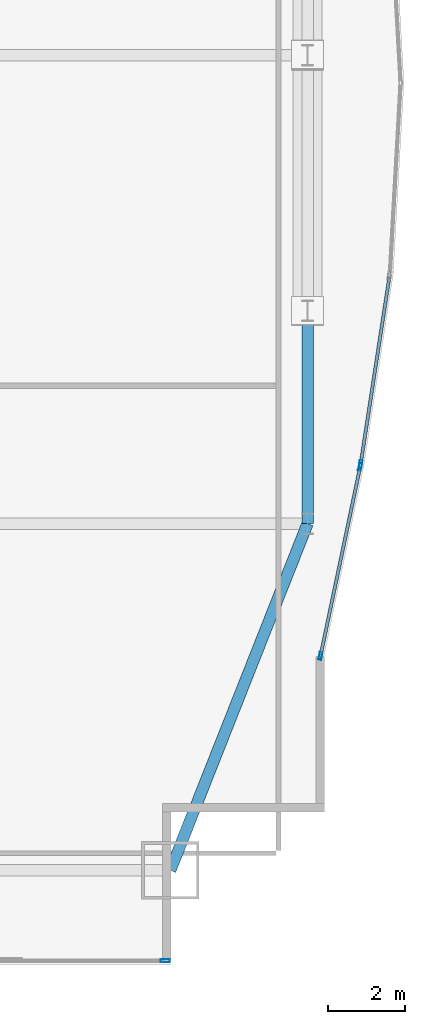
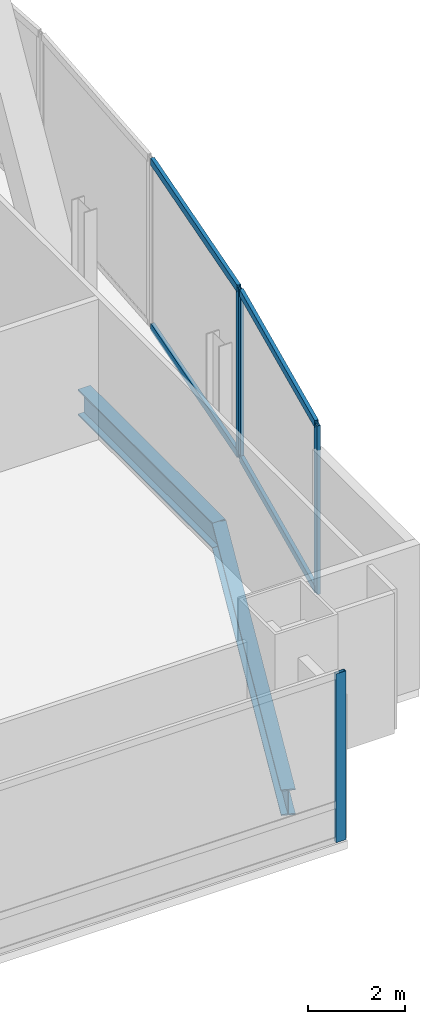
# One storey, part 22 of 32: 8 members, 2 beams, 3 elements without a shape of their own.
"""IFC4 building model written with IfcOpenShell, lengths in metres."""

from ifc_helpers import new_model, si_unit, direction, frame, origin, origin_2d, place, context, subcontext, project, spatial, hollow_rectangle, i_section, extrude, material, material_profile, profile_set, type_object, element, aggregate, save


model = new_model("IFC4")

# Units and contexts
model_context = context("Model", 3, precision=1e-05, world=origin(), true_north=direction((0.0, 1.0)))
body_context = subcontext(model_context, "Body", "Model", "MODEL_VIEW")
ifc_project = project(units=[si_unit("LENGTHUNIT", "METRE"), si_unit("AREAUNIT", "SQUARE_METRE"), si_unit("VOLUMEUNIT", "CUBIC_METRE"), si_unit("PLANEANGLEUNIT", "RADIAN"), si_unit("MASSUNIT", "GRAM", prefix="KILO")], contexts=[model_context])

# Site, building, storey
site_placement = place(None, origin())
site = spatial("IfcSite", under=ifc_project, at=site_placement, CompositionType="ELEMENT")
building_placement = place(site_placement, origin())
building = spatial("IfcBuilding", under=site, at=building_placement, Name="Khoronbel Lancet Exchange", CompositionType="ELEMENT")
storey_placement = place(building_placement, frame((0.0, 0.0, 106.60009765625)))
storey = spatial("IfcBuildingStorey", under=building, at=storey_placement, Name="L25", CompositionType="ELEMENT", Elevation=106.60009765625)

# Beams
ifc_material_1 = material(Name="Steel S355", Category="steel")
ifc_material_profile_1 = material_profile(ifc_material_1, i_section(OverallWidth=0.300048828125, OverallDepth=0.64990234375, WebThickness=0.01611328125, FlangeThickness=0.031005859375, at=origin_2d()), Name="HEB 650")
ifc_profile_set_1 = profile_set([ifc_material_profile_1], Name="Steel S355")
beam_type = type_object("IfcBeamType", Name="BM-BSP1", PredefinedType="SPANDREL", material=ifc_profile_set_1)
beam_1_placement = place(storey_placement, frame((66.050048828125, 10.14990234375, -0.525146484375), z_axis=(0.367828403855, 0.929893684954, 0.0), x_axis=(-0.929893684954, 0.367828403855, 0.0)))
element("IfcBeam", 1, at=beam_1_placement, inside=storey, type_object=beam_type, Name="Level L25 perimeter spandrel beam SP10", PredefinedType="SPANDREL", context=body_context, shape_type="SweptSolid", body=[
    extrude(i_section(OverallWidth=0.300048828125, OverallDepth=0.64990234375, WebThickness=0.01611328125, FlangeThickness=0.031005859375, at=origin_2d()), origin(), (0.0, 0.0, 1.0), 9.732421875),
])
beam_2_placement = place(storey_placement, frame((69.6298828125, 19.199951171875, -0.525146484375), z_axis=(0.0, 1.0, 0.0), x_axis=(-1.0, 0.0, 0.0)))
element("IfcBeam", 2, at=beam_2_placement, inside=storey, type_object=beam_type, Name="Level L25 perimeter spandrel beam SP11", PredefinedType="SPANDREL", context=body_context, shape_type="SweptSolid", body=[
    extrude(i_section(OverallWidth=0.300048828125, OverallDepth=0.64990234375, WebThickness=0.01611328125, FlangeThickness=0.031005859375, at=origin_2d()), origin(), (0.0, 0.0, 1.0), 5.550048828125),
])

# Curtain wall, member
ifc_material_2 = material(Name="Low-E Solar Control Insulating Glass", Category="glass")
curtain_wall_type_1 = type_object("IfcCurtainWallType", Name="CW-2", PredefinedType="NOTDEFINED", material=ifc_material_2)
curtain_wall_1_placement = place(storey_placement, origin())
curtain_wall_1 = element("IfcCurtainWall", 3, at=curtain_wall_1_placement, inside=storey, type_object=curtain_wall_type_1, Name="Unitised curtain wall CW-L25-SEV", PredefinedType="NOTDEFINED")
ifc_material_3 = material(Name="Bronze-Anodised Aluminium 6063-T6", Category="aluminium")
ifc_material_profile_2 = material_profile(ifc_material_3, hollow_rectangle(XDim=0.0849609375, YDim=0.239990234375, WallThickness=0.006103515625, at=origin_2d()), Name="ALU MULLION 85x240")
ifc_profile_set_2 = profile_set([ifc_material_profile_2], Name="Bronze-Anodised Aluminium 6063-T6")
member_type_1 = type_object("IfcMemberType", Name="MEM-CWM1", PredefinedType="MULLION", material=ifc_profile_set_2)
member_1_placement = place(storey_placement, frame((65.91748046875, 7.7900390625, 0.0), z_axis=(0.0, 0.0, 1.0), x_axis=(0.0, 1.0, 0.0)))
member_1 = element("IfcMember", 4, at=member_1_placement, type_object=member_type_1, Name="CW2 mullion 2", PredefinedType="MULLION", context=body_context, shape_type="SweptSolid", body=[
    extrude(hollow_rectangle(XDim=0.0849609375, YDim=0.239990234375, WallThickness=0.006103515625, at=origin_2d()), origin(), (0.0, 0.0, 1.0), 4.239990234375),
])
aggregate(curtain_wall_1, [member_1])

curtain_wall_type_2 = type_object("IfcCurtainWallType", Name="CW-4", PredefinedType="NOTDEFINED", material=ifc_material_2)
curtain_wall_2_placement = place(storey_placement, origin())
curtain_wall_2 = element("IfcCurtainWall", 5, at=curtain_wall_2_placement, inside=storey, type_object=curtain_wall_type_2, Name="Unitised curtain wall CW-L25-E21", PredefinedType="NOTDEFINED")
ifc_material_profile_3 = material_profile(ifc_material_3, hollow_rectangle(XDim=0.074951171875, YDim=0.199951171875, WallThickness=0.0048828125, at=origin_2d()), Name="ALU MULLION 75x200")
ifc_profile_set_3 = profile_set([ifc_material_profile_3], Name="Bronze-Anodised Aluminium 6063-T6")
member_type_2 = type_object("IfcMemberType", Name="MEM-CWM2", PredefinedType="MULLION", material=ifc_profile_set_3)
member_2_placement = place(storey_placement, frame((71.01513671875, 20.753173828125, 0.0), z_axis=(0.0, 0.0, 1.0), x_axis=(0.988428154064, -0.151689763181, 0.0)))
member_2 = element("IfcMember", 6, at=member_2_placement, type_object=member_type_2, Name="CW4 mullion 2", PredefinedType="MULLION", context=body_context, shape_type="SweptSolid", body=[
    extrude(hollow_rectangle(XDim=0.074951171875, YDim=0.199951171875, WallThickness=0.0048828125, at=origin_2d()), origin(), (0.0, 0.0, 1.0), 4.239990234375),
])

# Curtain wall, members
curtain_wall_3_placement = place(storey_placement, origin())
curtain_wall_3 = element("IfcCurtainWall", 7, at=curtain_wall_3_placement, inside=storey, type_object=curtain_wall_type_2, Name="Unitised curtain wall CW-L25-E22", PredefinedType="NOTDEFINED")
member_3_placement = place(storey_placement, frame((71.001708984375, 20.679443359375, 0.0), z_axis=(0.0, 0.0, 1.0), x_axis=(0.97872923306, -0.205156253509, 0.0)))
member_3 = element("IfcMember", 8, at=member_3_placement, type_object=member_type_2, Name="CW4 mullion 1", PredefinedType="MULLION", context=body_context, shape_type="SweptSolid", body=[
    extrude(hollow_rectangle(XDim=0.074951171875, YDim=0.199951171875, WallThickness=0.0048828125, at=origin_2d()), origin(), (0.0, 0.0, 1.0), 4.239990234375),
])
member_4_placement = place(storey_placement, frame((69.9677734375, 15.74609375, 0.0), z_axis=(0.0, 0.0, 1.0), x_axis=(0.97872923306, -0.205156253509, 0.0)))
member_4 = element("IfcMember", 9, at=member_4_placement, type_object=member_type_2, Name="CW4 mullion 2", PredefinedType="MULLION", context=body_context, shape_type="SweptSolid", body=[
    extrude(hollow_rectangle(XDim=0.074951171875, YDim=0.199951171875, WallThickness=0.0048828125, at=origin_2d()), origin(), (0.0, 0.0, 1.0), 4.239990234375),
])

# Member
ifc_material_profile_4 = material_profile(ifc_material_3, hollow_rectangle(XDim=0.0849609375, YDim=0.179931640625, WallThickness=0.0048828125, at=origin_2d()), Name="ALU TRANSOM 85x180")
ifc_profile_set_4 = profile_set([ifc_material_profile_4], Name="Bronze-Anodised Aluminium 6063-T6")
member_type_3 = type_object("IfcMemberType", Name="MEM-CWT1", PredefinedType="USERDEFINED", material=ifc_profile_set_4)
member_5_placement = place(storey_placement, frame((71.764404296875, 25.63525390625, 0.04248046875), z_axis=(-0.15166418153, -0.988432079629, 0.0), x_axis=(0.988432079629, -0.15166418153, 0.0)))
member_5 = element("IfcMember", 10, at=member_5_placement, type_object=member_type_3, Name="CW4 transom 1.1", ObjectType="TRANSOM", PredefinedType="USERDEFINED", context=body_context, shape_type="SweptSolid", body=[
    extrude(hollow_rectangle(XDim=0.0849609375, YDim=0.179931640625, WallThickness=0.0048828125, at=origin_2d()), origin(), (0.0, 0.0, 1.0), 4.901611328125),
])

member_6_placement = place(storey_placement, frame((71.764404296875, 25.63525390625, 4.197509765625), z_axis=(-0.15166418153, -0.988432079629, 0.0), x_axis=(0.988432079629, -0.15166418153, 0.0)))
member_6 = element("IfcMember", 11, at=member_6_placement, type_object=member_type_3, Name="CW4 transom 1.2", ObjectType="TRANSOM", PredefinedType="USERDEFINED", context=body_context, shape_type="SweptSolid", body=[
    extrude(hollow_rectangle(XDim=0.0849609375, YDim=0.179931640625, WallThickness=0.0048828125, at=origin_2d()), origin(), (0.0, 0.0, 1.0), 4.901611328125),
])

aggregate(curtain_wall_2, [member_2, member_5, member_6])

member_7_placement = place(storey_placement, frame((70.994140625, 20.642578125, 0.04248046875), z_axis=(-0.205175343624, -0.978725231293, 0.0), x_axis=(0.978725231293, -0.205175343624, 0.0)))
member_7 = element("IfcMember", 12, at=member_7_placement, type_object=member_type_3, Name="CW4 transom 1.1", ObjectType="TRANSOM", PredefinedType="USERDEFINED", context=body_context, shape_type="SweptSolid", body=[
    extrude(hollow_rectangle(XDim=0.0849609375, YDim=0.179931640625, WallThickness=0.0048828125, at=origin_2d()), origin(), (0.0, 0.0, 1.0), 4.965576171875),
])

member_8_placement = place(storey_placement, frame((70.994140625, 20.642578125, 4.197509765625), z_axis=(-0.205175343624, -0.978725231293, 0.0), x_axis=(0.978725231293, -0.205175343624, 0.0)))
member_8 = element("IfcMember", 13, at=member_8_placement, type_object=member_type_3, Name="CW4 transom 1.2", ObjectType="TRANSOM", PredefinedType="USERDEFINED", context=body_context, shape_type="SweptSolid", body=[
    extrude(hollow_rectangle(XDim=0.0849609375, YDim=0.179931640625, WallThickness=0.0048828125, at=origin_2d()), origin(), (0.0, 0.0, 1.0), 4.965576171875),
])

aggregate(curtain_wall_3, [member_3, member_4, member_7, member_8])

save(model, "model.ifc")
